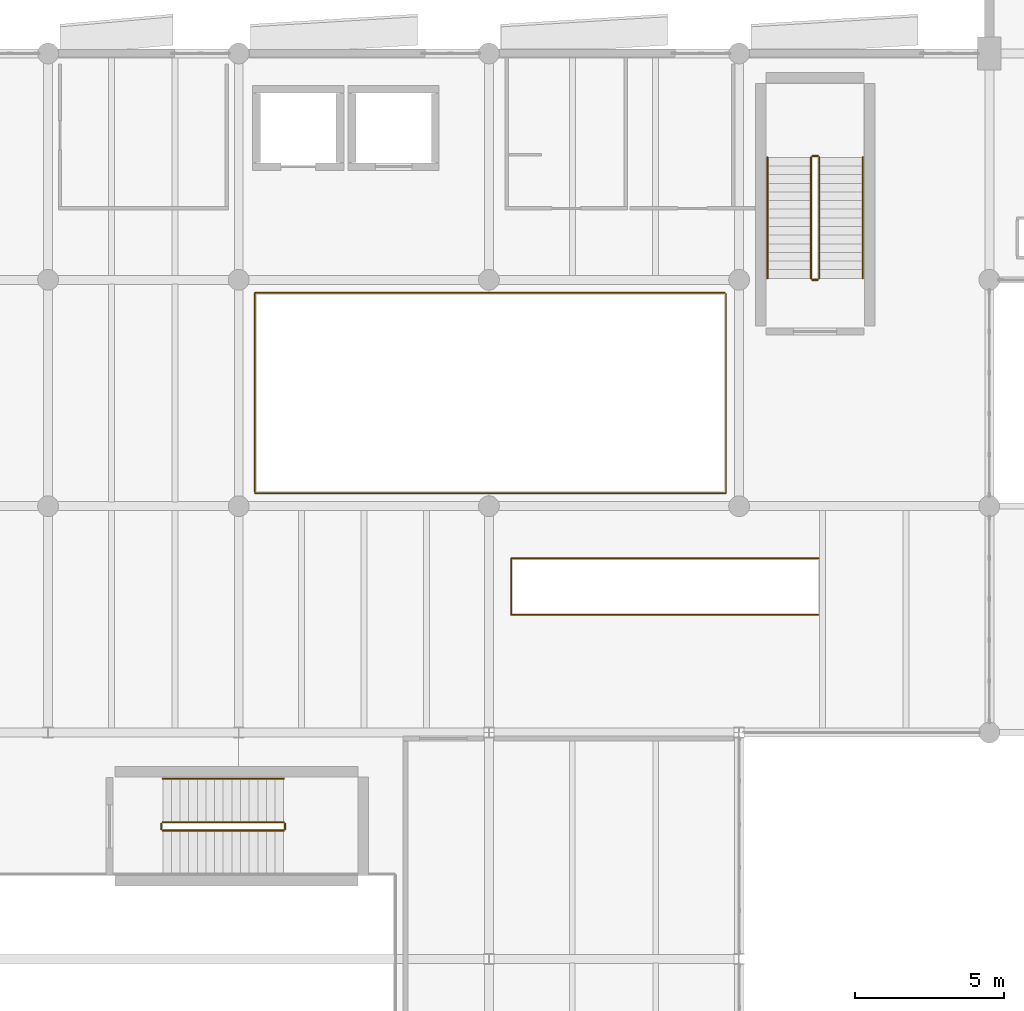
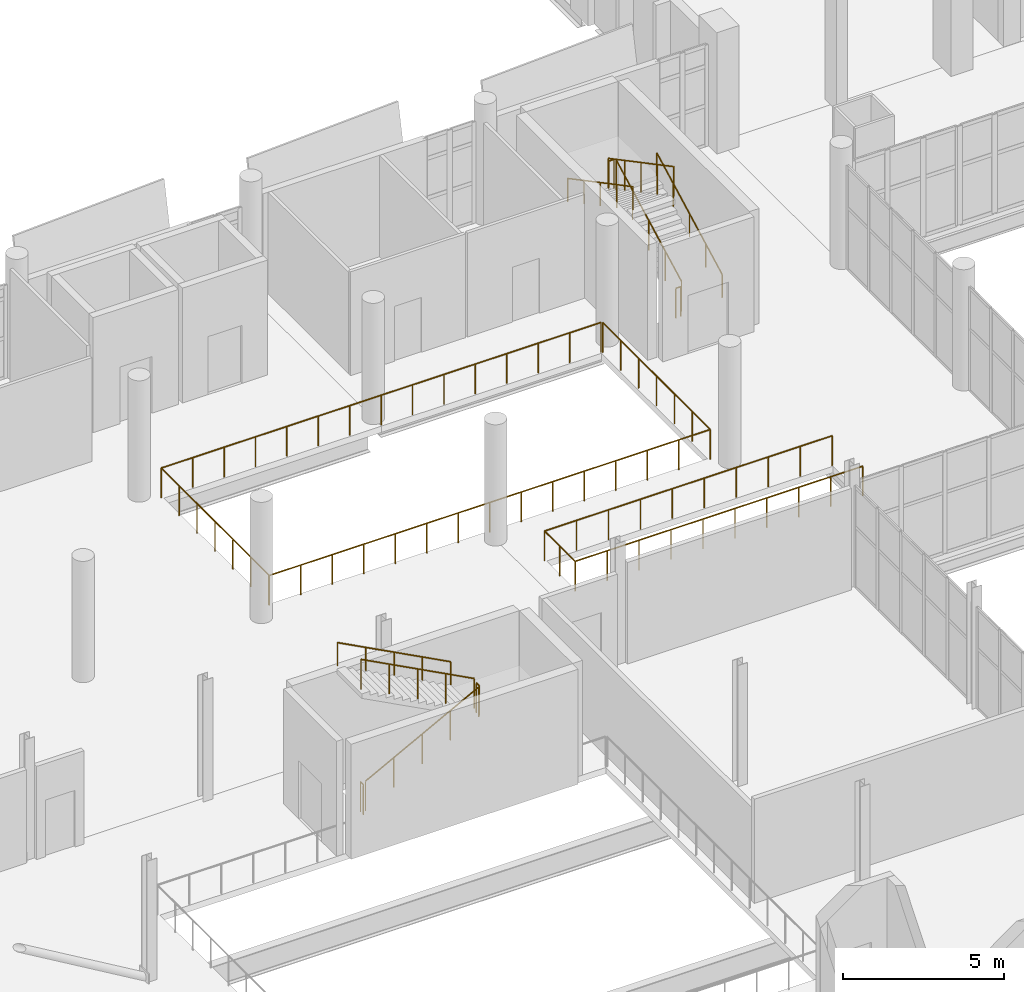
# One storey, part 128 of 136: 14 railings.
"""IFC4 building model written with IfcOpenShell, lengths in metres."""

from ifc_helpers import new_model, si_unit, direction, frame, origin, origin_2d, place, context, subcontext, project, spatial, circle, extrude, material, type_object, element, save


model = new_model("IFC4")

# Units and contexts
model_context = context("Model", 3, precision=1e-05, world=origin(), true_north=direction((0.0, 1.0)))
body_context = subcontext(model_context, "Body", "Model", "MODEL_VIEW")
ifc_project = project(units=[si_unit("LENGTHUNIT", "METRE"), si_unit("AREAUNIT", "SQUARE_METRE"), si_unit("VOLUMEUNIT", "CUBIC_METRE"), si_unit("PLANEANGLEUNIT", "RADIAN"), si_unit("MASSUNIT", "GRAM", prefix="KILO")], contexts=[model_context])

# Site, building, storey
site_placement = place(None, origin())
site = spatial("IfcSite", under=ifc_project, at=site_placement, CompositionType="ELEMENT")
building_placement = place(site_placement, origin())
building = spatial("IfcBuilding", under=site, at=building_placement, Name="Shengluoqiao Park Theatre", CompositionType="ELEMENT")
storey_placement = place(building_placement, frame((0.0, 0.0, 10.0)))
storey = spatial("IfcBuildingStorey", under=building, at=storey_placement, Name="L02", CompositionType="ELEMENT", Elevation=10.0)

# Railings
ifc_material_1 = material(Name="Tempered laminated glass", Category="glass")
railing_type_1 = type_object("IfcRailingType", Name="INT-RL-BAL115", PredefinedType="BALUSTRADE", material=ifc_material_1)
railing_1_placement = place(storey_placement, frame((38.669921875, 57.14990234375, 0.0)))
element("IfcRailing", 1, at=railing_1_placement, inside=storey, type_object=railing_type_1, Name="Main Foyer Feature Stair 07 Upper Upper Well Guard", PredefinedType="BALUSTRADE", context=body_context, shape_type="SweptSolid", body=[
    extrude(circle(Radius=0.02392578125, at=origin_2d()), frame((0.0, 0.0, 1.1259765625), z_axis=(-1.0, 0.0, 0.0), x_axis=(0.0, -1.0, 0.0)), (0.0, 0.0, 1.0), 10.31982421875),
    extrude(circle(Radius=0.02392578125, at=origin_2d()), frame((-10.31982421875, 0.0, 1.1259765625), z_axis=(0.0, 1.0, 0.0), x_axis=(-1.0, 0.0, 0.0)), (0.0, 0.0, 1.0), 1.900146484375),
    extrude(circle(Radius=0.02392578125, at=origin_2d()), frame((-10.31982421875, 1.900146484375, 1.1259765625), z_axis=(1.0, 0.0, 0.0), x_axis=(0.0, 1.0, 0.0)), (0.0, 0.0, 1.0), 10.31982421875),
    extrude(circle(Radius=0.02099609375, at=origin_2d()), origin(), (0.0, 0.0, 1.0), 1.101806640625),
    extrude(circle(Radius=0.02099609375, at=origin_2d()), frame((-1.146728515625, 0.0, 0.0)), (0.0, 0.0, 1.0), 1.101806640625),
    extrude(circle(Radius=0.02099609375, at=origin_2d()), frame((-2.293212890625, 0.0, 0.0)), (0.0, 0.0, 1.0), 1.101806640625),
    extrude(circle(Radius=0.02099609375, at=origin_2d()), frame((-3.43994140625, 0.0, 0.0)), (0.0, 0.0, 1.0), 1.101806640625),
    extrude(circle(Radius=0.02099609375, at=origin_2d()), frame((-4.586669921875, 0.0, 0.0)), (0.0, 0.0, 1.0), 1.101806640625),
    extrude(circle(Radius=0.02099609375, at=origin_2d()), frame((-5.733154296875, 0.0, 0.0)), (0.0, 0.0, 1.0), 1.101806640625),
    extrude(circle(Radius=0.02099609375, at=origin_2d()), frame((-6.8798828125, 0.0, 0.0)), (0.0, 0.0, 1.0), 1.101806640625),
    extrude(circle(Radius=0.02099609375, at=origin_2d()), frame((-8.026611328125, 0.0, 0.0)), (0.0, 0.0, 1.0), 1.101806640625),
    extrude(circle(Radius=0.02099609375, at=origin_2d()), frame((-9.173095703125, 0.0, 0.0)), (0.0, 0.0, 1.0), 1.101806640625),
    extrude(circle(Radius=0.02099609375, at=origin_2d()), frame((-10.31982421875, 0.0, 0.0)), (0.0, 0.0, 1.0), 1.101806640625),
    extrude(circle(Radius=0.02099609375, at=origin_2d()), frame((-10.31982421875, 0.9501953125, 0.0)), (0.0, 0.0, 1.0), 1.101806640625),
    extrude(circle(Radius=0.02099609375, at=origin_2d()), frame((-10.31982421875, 1.900146484375, 0.0)), (0.0, 0.0, 1.0), 1.101806640625),
    extrude(circle(Radius=0.02099609375, at=origin_2d()), frame((-9.173095703125, 1.900146484375, 0.0)), (0.0, 0.0, 1.0), 1.101806640625),
    extrude(circle(Radius=0.02099609375, at=origin_2d()), frame((-8.026611328125, 1.900146484375, 0.0)), (0.0, 0.0, 1.0), 1.101806640625),
    extrude(circle(Radius=0.02099609375, at=origin_2d()), frame((-6.8798828125, 1.900146484375, 0.0)), (0.0, 0.0, 1.0), 1.101806640625),
    extrude(circle(Radius=0.02099609375, at=origin_2d()), frame((-5.733154296875, 1.900146484375, 0.0)), (0.0, 0.0, 1.0), 1.101806640625),
    extrude(circle(Radius=0.02099609375, at=origin_2d()), frame((-4.586669921875, 1.900146484375, 0.0)), (0.0, 0.0, 1.0), 1.101806640625),
    extrude(circle(Radius=0.02099609375, at=origin_2d()), frame((-3.43994140625, 1.900146484375, 0.0)), (0.0, 0.0, 1.0), 1.101806640625),
    extrude(circle(Radius=0.02099609375, at=origin_2d()), frame((-2.293212890625, 1.900146484375, 0.0)), (0.0, 0.0, 1.0), 1.101806640625),
    extrude(circle(Radius=0.02099609375, at=origin_2d()), frame((-1.146728515625, 1.900146484375, 0.0)), (0.0, 0.0, 1.0), 1.101806640625),
    extrude(circle(Radius=0.02099609375, at=origin_2d()), frame((0.0, 1.900146484375, 0.0)), (0.0, 0.0, 1.0), 1.101806640625),
])
railing_2_placement = place(storey_placement, frame((19.739990234375, 61.239990234375, 0.0)))
element("IfcRailing", 2, at=railing_2_placement, inside=storey, type_object=railing_type_1, Name="L02 VOID-L02-ATRIUM South-East Balustrade 0010", PredefinedType="BALUSTRADE", context=body_context, shape_type="SweptSolid", body=[
    extrude(circle(Radius=0.02392578125, at=origin_2d()), frame((0.0, 0.0, 1.1259765625), z_axis=(1.0, 0.0, 0.0), x_axis=(0.0, 1.0, 0.0)), (0.0, 0.0, 1.0), 15.820068359375),
    extrude(circle(Radius=0.02392578125, at=origin_2d()), frame((15.820068359375, 0.0, 1.1259765625), z_axis=(0.0, 1.0, 0.0), x_axis=(-1.0, 0.0, 0.0)), (0.0, 0.0, 1.0), 6.679931640625),
    extrude(circle(Radius=0.02099609375, at=origin_2d()), origin(), (0.0, 0.0, 1.0), 1.101806640625),
    extrude(circle(Radius=0.02099609375, at=origin_2d()), frame((1.1298828125, 0.0, 0.0)), (0.0, 0.0, 1.0), 1.101806640625),
    extrude(circle(Radius=0.02099609375, at=origin_2d()), frame((2.260009765625, 0.0, 0.0)), (0.0, 0.0, 1.0), 1.101806640625),
    extrude(circle(Radius=0.02099609375, at=origin_2d()), frame((3.39013671875, 0.0, 0.0)), (0.0, 0.0, 1.0), 1.101806640625),
    extrude(circle(Radius=0.02099609375, at=origin_2d()), frame((4.52001953125, 0.0, 0.0)), (0.0, 0.0, 1.0), 1.101806640625),
    extrude(circle(Radius=0.02099609375, at=origin_2d()), frame((5.64990234375, 0.0, 0.0)), (0.0, 0.0, 1.0), 1.101806640625),
    extrude(circle(Radius=0.02099609375, at=origin_2d()), frame((6.780029296875, 0.0, 0.0)), (0.0, 0.0, 1.0), 1.101806640625),
    extrude(circle(Radius=0.02099609375, at=origin_2d()), frame((7.91015625, 0.0, 0.0)), (0.0, 0.0, 1.0), 1.101806640625),
    extrude(circle(Radius=0.02099609375, at=origin_2d()), frame((9.0400390625, 0.0, 0.0)), (0.0, 0.0, 1.0), 1.101806640625),
    extrude(circle(Radius=0.02099609375, at=origin_2d()), frame((10.169921875, 0.0, 0.0)), (0.0, 0.0, 1.0), 1.101806640625),
    extrude(circle(Radius=0.02099609375, at=origin_2d()), frame((11.300048828125, 0.0, 0.0)), (0.0, 0.0, 1.0), 1.101806640625),
    extrude(circle(Radius=0.02099609375, at=origin_2d()), frame((12.43017578125, 0.0, 0.0)), (0.0, 0.0, 1.0), 1.101806640625),
    extrude(circle(Radius=0.02099609375, at=origin_2d()), frame((13.56005859375, 0.0, 0.0)), (0.0, 0.0, 1.0), 1.101806640625),
    extrude(circle(Radius=0.02099609375, at=origin_2d()), frame((14.68994140625, 0.0, 0.0)), (0.0, 0.0, 1.0), 1.101806640625),
    extrude(circle(Radius=0.02099609375, at=origin_2d()), frame((15.820068359375, 0.0, 0.0)), (0.0, 0.0, 1.0), 1.101806640625),
    extrude(circle(Radius=0.02099609375, at=origin_2d()), frame((15.820068359375, 1.11328125, 0.0)), (0.0, 0.0, 1.0), 1.101806640625),
    extrude(circle(Radius=0.02099609375, at=origin_2d()), frame((15.820068359375, 2.2265625, 0.0)), (0.0, 0.0, 1.0), 1.101806640625),
    extrude(circle(Radius=0.02099609375, at=origin_2d()), frame((15.820068359375, 3.33984375, 0.0)), (0.0, 0.0, 1.0), 1.101806640625),
    extrude(circle(Radius=0.02099609375, at=origin_2d()), frame((15.820068359375, 4.453369140625, 0.0)), (0.0, 0.0, 1.0), 1.101806640625),
    extrude(circle(Radius=0.02099609375, at=origin_2d()), frame((15.820068359375, 5.566650390625, 0.0)), (0.0, 0.0, 1.0), 1.101806640625),
    extrude(circle(Radius=0.02099609375, at=origin_2d()), frame((15.820068359375, 6.679931640625, 0.0)), (0.0, 0.0, 1.0), 1.101806640625),
])
railing_3_placement = place(storey_placement, frame((35.52001953125, 67.9599609375, 0.0)))
element("IfcRailing", 3, at=railing_3_placement, inside=storey, type_object=railing_type_1, Name="L02 VOID-L02-ATRIUM North-West Balustrade 0011", PredefinedType="BALUSTRADE", context=body_context, shape_type="SweptSolid", body=[
    extrude(circle(Radius=0.02392578125, at=origin_2d()), frame((0.0, 0.0, 1.1259765625), z_axis=(-1.0, 0.0, 0.0), x_axis=(0.0, -1.0, 0.0)), (0.0, 0.0, 1.0), 15.780029296875),
    extrude(circle(Radius=0.02392578125, at=origin_2d()), frame((-15.780029296875, 0.0, 1.1259765625), z_axis=(0.0, -1.0, 0.0), x_axis=(1.0, 0.0, 0.0)), (0.0, 0.0, 1.0), 6.679931640625),
    extrude(circle(Radius=0.02099609375, at=origin_2d()), origin(), (0.0, 0.0, 1.0), 1.101806640625),
    extrude(circle(Radius=0.02099609375, at=origin_2d()), frame((-1.127197265625, 0.0, 0.0)), (0.0, 0.0, 1.0), 1.101806640625),
    extrude(circle(Radius=0.02099609375, at=origin_2d()), frame((-2.25439453125, 0.0, 0.0)), (0.0, 0.0, 1.0), 1.101806640625),
    extrude(circle(Radius=0.02099609375, at=origin_2d()), frame((-3.38134765625, 0.0, 0.0)), (0.0, 0.0, 1.0), 1.101806640625),
    extrude(circle(Radius=0.02099609375, at=origin_2d()), frame((-4.508544921875, 0.0, 0.0)), (0.0, 0.0, 1.0), 1.101806640625),
    extrude(circle(Radius=0.02099609375, at=origin_2d()), frame((-5.6357421875, 0.0, 0.0)), (0.0, 0.0, 1.0), 1.101806640625),
    extrude(circle(Radius=0.02099609375, at=origin_2d()), frame((-6.762939453125, 0.0, 0.0)), (0.0, 0.0, 1.0), 1.101806640625),
    extrude(circle(Radius=0.02099609375, at=origin_2d()), frame((-7.89013671875, 0.0, 0.0)), (0.0, 0.0, 1.0), 1.101806640625),
    extrude(circle(Radius=0.02099609375, at=origin_2d()), frame((-9.01708984375, 0.0, 0.0)), (0.0, 0.0, 1.0), 1.101806640625),
    extrude(circle(Radius=0.02099609375, at=origin_2d()), frame((-10.144287109375, 0.0, 0.0)), (0.0, 0.0, 1.0), 1.101806640625),
    extrude(circle(Radius=0.02099609375, at=origin_2d()), frame((-11.271484375, 0.0, 0.0)), (0.0, 0.0, 1.0), 1.101806640625),
    extrude(circle(Radius=0.02099609375, at=origin_2d()), frame((-12.398681640625, 0.0, 0.0)), (0.0, 0.0, 1.0), 1.101806640625),
    extrude(circle(Radius=0.02099609375, at=origin_2d()), frame((-13.525634765625, 0.0, 0.0)), (0.0, 0.0, 1.0), 1.101806640625),
    extrude(circle(Radius=0.02099609375, at=origin_2d()), frame((-14.65283203125, 0.0, 0.0)), (0.0, 0.0, 1.0), 1.101806640625),
    extrude(circle(Radius=0.02099609375, at=origin_2d()), frame((-15.780029296875, 0.0, 0.0)), (0.0, 0.0, 1.0), 1.101806640625),
    extrude(circle(Radius=0.02099609375, at=origin_2d()), frame((-15.780029296875, -1.11328125, 0.0)), (0.0, 0.0, 1.0), 1.101806640625),
    extrude(circle(Radius=0.02099609375, at=origin_2d()), frame((-15.780029296875, -2.2265625, 0.0)), (0.0, 0.0, 1.0), 1.101806640625),
    extrude(circle(Radius=0.02099609375, at=origin_2d()), frame((-15.780029296875, -3.33984375, 0.0)), (0.0, 0.0, 1.0), 1.101806640625),
    extrude(circle(Radius=0.02099609375, at=origin_2d()), frame((-15.780029296875, -4.453369140625, 0.0)), (0.0, 0.0, 1.0), 1.101806640625),
    extrude(circle(Radius=0.02099609375, at=origin_2d()), frame((-15.780029296875, -5.566650390625, 0.0)), (0.0, 0.0, 1.0), 1.101806640625),
    extrude(circle(Radius=0.02099609375, at=origin_2d()), frame((-15.780029296875, -6.679931640625, 0.0)), (0.0, 0.0, 1.0), 1.101806640625),
])
ifc_material_2 = material(Name="Painted steel", Category="steel")
railing_type_2 = type_object("IfcRailingType", Name="INT-RL-STGRD", PredefinedType="GUARDRAIL", material=ifc_material_2)
railing_4_placement = place(storey_placement, frame((38.68994140625, 68.449951171875, 0.1533203125)))
element("IfcRailing", 4, at=railing_4_placement, inside=storey, type_object=railing_type_2, Name="L02 ST-01 stair guard 1", PredefinedType="GUARDRAIL", context=body_context, shape_type="SweptSolid", body=[
    extrude(circle(Radius=0.02392578125, at=origin_2d()), frame((0.0, 0.0, 1.1259765625), z_axis=(0.0, 0.884032182968, 0.46742603637), x_axis=(-1.0, 0.0, 0.0)), (0.0, 0.0, 1.0), 4.5927734375),
    extrude(circle(Radius=0.02099609375, at=origin_2d()), origin(), (0.0, 0.0, 1.0), 1.101806640625),
    extrude(circle(Radius=0.02099609375, at=origin_2d()), frame((0.0, 1.01513671875, 0.53662109375)), (0.0, 0.0, 1.0), 1.101806640625),
    extrude(circle(Radius=0.02099609375, at=origin_2d()), frame((0.0, 2.030029296875, 1.0732421875)), (0.0, 0.0, 1.0), 1.101806640625),
    extrude(circle(Radius=0.02099609375, at=origin_2d()), frame((0.0, 3.044921875, 1.610107421875)), (0.0, 0.0, 1.0), 1.101806640625),
    extrude(circle(Radius=0.02099609375, at=origin_2d()), frame((0.0, 4.06005859375, 2.146728515625)), (0.0, 0.0, 1.0), 1.101806640625),
])
railing_5_placement = place(storey_placement, frame((38.639892578125, 72.56005859375, 2.300048828125)))
element("IfcRailing", 5, at=railing_5_placement, inside=storey, type_object=railing_type_2, Name="L02 ST-01 stair guard 2", PredefinedType="GUARDRAIL", context=body_context, shape_type="SweptSolid", body=[
    extrude(circle(Radius=0.02392578125, at=origin_2d()), frame((0.0, 0.0, 1.1259765625), z_axis=(-1.0, 0.0, 0.0), x_axis=(0.0, -1.0, 0.0)), (0.0, 0.0, 1.0), 0.179931640625),
    extrude(circle(Radius=0.02099609375, at=origin_2d()), origin(), (0.0, 0.0, 1.0), 1.101806640625),
    extrude(circle(Radius=0.02099609375, at=origin_2d()), frame((-0.179931640625, 0.0, 0.0)), (0.0, 0.0, 1.0), 1.101806640625),
])
railing_6_placement = place(storey_placement, frame((38.409912109375, 72.510009765625, 2.453369140625)))
element("IfcRailing", 6, at=railing_6_placement, inside=storey, type_object=railing_type_2, Name="L02 ST-01 stair guard 3", PredefinedType="GUARDRAIL", context=body_context, shape_type="SweptSolid", body=[
    extrude(circle(Radius=0.02392578125, at=origin_2d()), frame((0.0, 0.0, 1.1259765625), z_axis=(0.0, -0.884032182968, 0.46742603637), x_axis=(1.0, 0.0, 0.0)), (0.0, 0.0, 1.0), 4.5927734375),
    extrude(circle(Radius=0.02099609375, at=origin_2d()), origin(), (0.0, 0.0, 1.0), 1.101806640625),
    extrude(circle(Radius=0.02099609375, at=origin_2d()), frame((0.0, -1.01513671875, 0.53662109375)), (0.0, 0.0, 1.0), 1.101806640625),
    extrude(circle(Radius=0.02099609375, at=origin_2d()), frame((0.0, -2.030029296875, 1.0732421875)), (0.0, 0.0, 1.0), 1.101806640625),
    extrude(circle(Radius=0.02099609375, at=origin_2d()), frame((0.0, -3.044921875, 1.610107421875)), (0.0, 0.0, 1.0), 1.101806640625),
    extrude(circle(Radius=0.02099609375, at=origin_2d()), frame((0.0, -4.06005859375, 2.146728515625)), (0.0, 0.0, 1.0), 1.101806640625),
])
railing_7_placement = place(storey_placement, frame((38.639892578125, 68.39990234375, 0.0)))
element("IfcRailing", 7, at=railing_7_placement, inside=storey, type_object=railing_type_2, Name="L02 ST-01 stair guard 4", PredefinedType="GUARDRAIL", context=body_context, shape_type="SweptSolid", body=[
    extrude(circle(Radius=0.02392578125, at=origin_2d()), frame((0.0, 0.0, 1.1259765625), z_axis=(-1.0, 0.0, 0.0), x_axis=(0.0, -1.0, 0.0)), (0.0, 0.0, 1.0), 0.179931640625),
    extrude(circle(Radius=0.02099609375, at=origin_2d()), origin(), (0.0, 0.0, 1.0), 1.101806640625),
    extrude(circle(Radius=0.02099609375, at=origin_2d()), frame((-0.179931640625, 0.0, 0.0)), (0.0, 0.0, 1.0), 1.101806640625),
])
railing_8_placement = place(storey_placement, frame((16.64990234375, 49.909912109375, 0.1533203125)))
element("IfcRailing", 8, at=railing_8_placement, inside=storey, type_object=railing_type_2, Name="L02 ST-13 stair guard 1", PredefinedType="GUARDRAIL", context=body_context, shape_type="SweptSolid", body=[
    extrude(circle(Radius=0.02392578125, at=origin_2d()), frame((0.0, 0.0, 1.1259765625), z_axis=(0.884032182968, 0.0, 0.46742603637), x_axis=(0.0, 1.0, 0.0)), (0.0, 0.0, 1.0), 4.5927734375),
    extrude(circle(Radius=0.02099609375, at=origin_2d()), origin(), (0.0, 0.0, 1.0), 1.101806640625),
    extrude(circle(Radius=0.02099609375, at=origin_2d()), frame((1.01513671875, 0.0, 0.53662109375)), (0.0, 0.0, 1.0), 1.101806640625),
    extrude(circle(Radius=0.02099609375, at=origin_2d()), frame((2.030029296875, 0.0, 1.0732421875)), (0.0, 0.0, 1.0), 1.101806640625),
    extrude(circle(Radius=0.02099609375, at=origin_2d()), frame((3.044921875, 0.0, 1.610107421875)), (0.0, 0.0, 1.0), 1.101806640625),
    extrude(circle(Radius=0.02099609375, at=origin_2d()), frame((4.06005859375, 0.0, 2.146728515625)), (0.0, 0.0, 1.0), 1.101806640625),
])
railing_9_placement = place(storey_placement, frame((20.760009765625, 49.9599609375, 2.300048828125)))
element("IfcRailing", 9, at=railing_9_placement, inside=storey, type_object=railing_type_2, Name="L02 ST-13 stair guard 2", PredefinedType="GUARDRAIL", context=body_context, shape_type="SweptSolid", body=[
    extrude(circle(Radius=0.02392578125, at=origin_2d()), frame((0.0, 0.0, 1.1259765625), z_axis=(0.0, 1.0, 0.0), x_axis=(-1.0, 0.0, 0.0)), (0.0, 0.0, 1.0), 0.179931640625),
    extrude(circle(Radius=0.02099609375, at=origin_2d()), origin(), (0.0, 0.0, 1.0), 1.101806640625),
    extrude(circle(Radius=0.02099609375, at=origin_2d()), frame((0.0, 0.179931640625, 0.0)), (0.0, 0.0, 1.0), 1.101806640625),
])
railing_10_placement = place(storey_placement, frame((20.7099609375, 50.18994140625, 2.453369140625)))
element("IfcRailing", 10, at=railing_10_placement, inside=storey, type_object=railing_type_2, Name="L02 ST-13 stair guard 3", PredefinedType="GUARDRAIL", context=body_context, shape_type="SweptSolid", body=[
    extrude(circle(Radius=0.02392578125, at=origin_2d()), frame((0.0, 0.0, 1.1259765625), z_axis=(-0.884032182968, 0.0, 0.46742603637), x_axis=(0.0, -1.0, 0.0)), (0.0, 0.0, 1.0), 4.5927734375),
    extrude(circle(Radius=0.02099609375, at=origin_2d()), origin(), (0.0, 0.0, 1.0), 1.101806640625),
    extrude(circle(Radius=0.02099609375, at=origin_2d()), frame((-1.01513671875, 0.0, 0.53662109375)), (0.0, 0.0, 1.0), 1.101806640625),
    extrude(circle(Radius=0.02099609375, at=origin_2d()), frame((-2.030029296875, 0.0, 1.0732421875)), (0.0, 0.0, 1.0), 1.101806640625),
    extrude(circle(Radius=0.02099609375, at=origin_2d()), frame((-3.044921875, 0.0, 1.610107421875)), (0.0, 0.0, 1.0), 1.101806640625),
    extrude(circle(Radius=0.02099609375, at=origin_2d()), frame((-4.06005859375, 0.0, 2.146728515625)), (0.0, 0.0, 1.0), 1.101806640625),
])
railing_11_placement = place(storey_placement, frame((16.60009765625, 49.9599609375, 0.0)))
element("IfcRailing", 11, at=railing_11_placement, inside=storey, type_object=railing_type_2, Name="L02 ST-13 stair guard 4", PredefinedType="GUARDRAIL", context=body_context, shape_type="SweptSolid", body=[
    extrude(circle(Radius=0.02392578125, at=origin_2d()), frame((0.0, 0.0, 1.1259765625), z_axis=(0.0, 1.0, 0.0), x_axis=(-1.0, 0.0, 0.0)), (0.0, 0.0, 1.0), 0.179931640625),
    extrude(circle(Radius=0.02099609375, at=origin_2d()), origin(), (0.0, 0.0, 1.0), 1.101806640625),
    extrude(circle(Radius=0.02099609375, at=origin_2d()), frame((0.0, 0.179931640625, 0.0)), (0.0, 0.0, 1.0), 1.101806640625),
])
ifc_material_3 = material(Name="Stainless steel 304", Category="steel")
railing_type_3 = type_object("IfcRailingType", Name="INT-RL-STHR", PredefinedType="HANDRAIL", material=ifc_material_3)
railing_12_placement = place(storey_placement, frame((40.14990234375, 68.449951171875, 0.1533203125)))
element("IfcRailing", 12, at=railing_12_placement, inside=storey, type_object=railing_type_3, Name="L02 ST-01 stair handrail 1", PredefinedType="HANDRAIL", context=body_context, shape_type="SweptSolid", body=[
    extrude(circle(Radius=0.02392578125, at=origin_2d()), frame((0.0, 0.0, 0.8759765625), z_axis=(0.0, 0.884032182968, 0.46742603637), x_axis=(-1.0, 0.0, 0.0)), (0.0, 0.0, 1.0), 4.5927734375),
    extrude(circle(Radius=0.02099609375, at=origin_2d()), origin(), (0.0, 0.0, 1.0), 0.851806640625),
    extrude(circle(Radius=0.02099609375, at=origin_2d()), frame((0.0, 1.01513671875, 0.53662109375)), (0.0, 0.0, 1.0), 0.851806640625),
    extrude(circle(Radius=0.02099609375, at=origin_2d()), frame((0.0, 2.030029296875, 1.0732421875)), (0.0, 0.0, 1.0), 0.851806640625),
    extrude(circle(Radius=0.02099609375, at=origin_2d()), frame((0.0, 3.044921875, 1.610107421875)), (0.0, 0.0, 1.0), 0.851806640625),
    extrude(circle(Radius=0.02099609375, at=origin_2d()), frame((0.0, 4.06005859375, 2.146728515625)), (0.0, 0.0, 1.0), 0.851806640625),
])
railing_13_placement = place(storey_placement, frame((36.949951171875, 72.510009765625, 2.453369140625)))
element("IfcRailing", 13, at=railing_13_placement, inside=storey, type_object=railing_type_3, Name="L02 ST-01 stair handrail 2", PredefinedType="HANDRAIL", context=body_context, shape_type="SweptSolid", body=[
    extrude(circle(Radius=0.02392578125, at=origin_2d()), frame((0.0, 0.0, 0.8759765625), z_axis=(0.0, -0.884032182968, 0.46742603637), x_axis=(1.0, 0.0, 0.0)), (0.0, 0.0, 1.0), 4.5927734375),
    extrude(circle(Radius=0.02099609375, at=origin_2d()), origin(), (0.0, 0.0, 1.0), 0.851806640625),
    extrude(circle(Radius=0.02099609375, at=origin_2d()), frame((0.0, -1.01513671875, 0.53662109375)), (0.0, 0.0, 1.0), 0.851806640625),
    extrude(circle(Radius=0.02099609375, at=origin_2d()), frame((0.0, -2.030029296875, 1.0732421875)), (0.0, 0.0, 1.0), 0.851806640625),
    extrude(circle(Radius=0.02099609375, at=origin_2d()), frame((0.0, -3.044921875, 1.610107421875)), (0.0, 0.0, 1.0), 0.851806640625),
    extrude(circle(Radius=0.02099609375, at=origin_2d()), frame((0.0, -4.06005859375, 2.146728515625)), (0.0, 0.0, 1.0), 0.851806640625),
])
railing_14_placement = place(storey_placement, frame((20.7099609375, 51.64990234375, 2.453369140625)))
element("IfcRailing", 14, at=railing_14_placement, inside=storey, type_object=railing_type_3, Name="L02 ST-13 stair handrail 2", PredefinedType="HANDRAIL", context=body_context, shape_type="SweptSolid", body=[
    extrude(circle(Radius=0.02392578125, at=origin_2d()), frame((0.0, 0.0, 0.8759765625), z_axis=(-0.884032182968, 0.0, 0.46742603637), x_axis=(0.0, -1.0, 0.0)), (0.0, 0.0, 1.0), 4.5927734375),
    extrude(circle(Radius=0.02099609375, at=origin_2d()), origin(), (0.0, 0.0, 1.0), 0.851806640625),
    extrude(circle(Radius=0.02099609375, at=origin_2d()), frame((-1.01513671875, 0.0, 0.53662109375)), (0.0, 0.0, 1.0), 0.851806640625),
    extrude(circle(Radius=0.02099609375, at=origin_2d()), frame((-2.030029296875, 0.0, 1.0732421875)), (0.0, 0.0, 1.0), 0.851806640625),
    extrude(circle(Radius=0.02099609375, at=origin_2d()), frame((-3.044921875, 0.0, 1.610107421875)), (0.0, 0.0, 1.0), 0.851806640625),
    extrude(circle(Radius=0.02099609375, at=origin_2d()), frame((-4.06005859375, 0.0, 2.146728515625)), (0.0, 0.0, 1.0), 0.851806640625),
])

save(model, "model.ifc")
